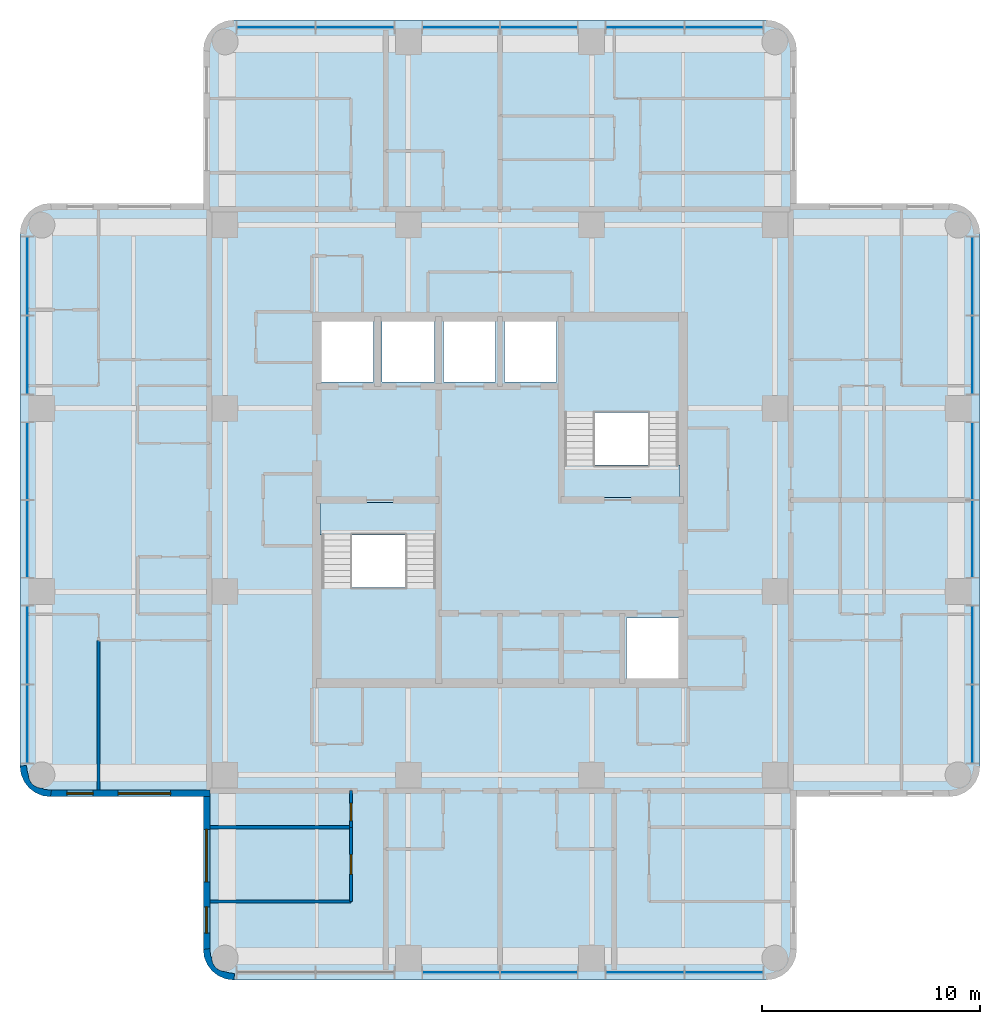
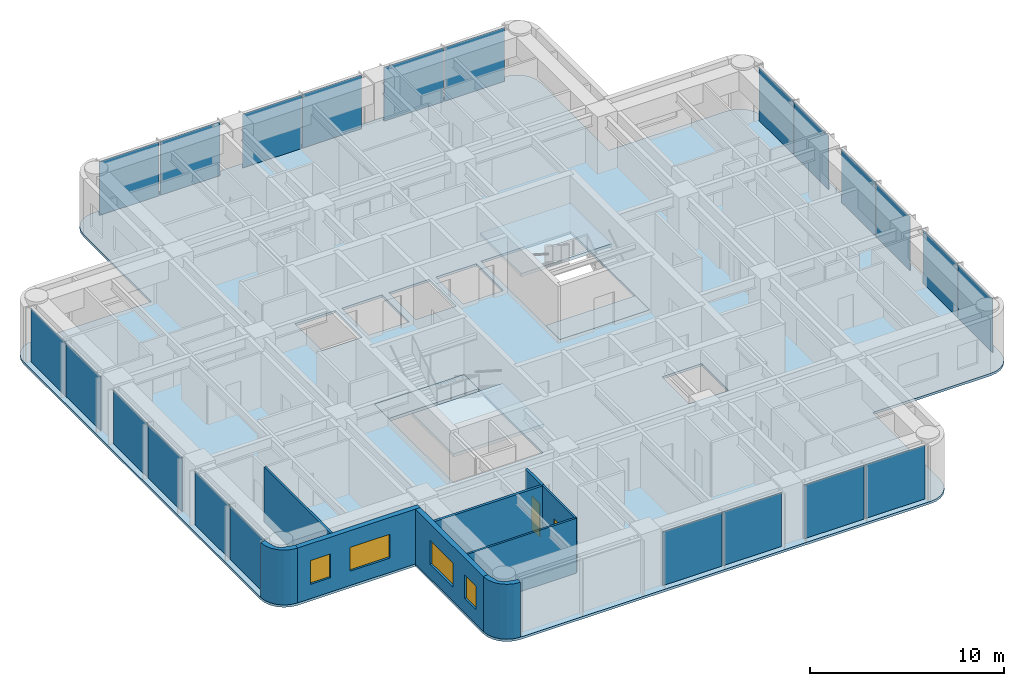
# One storey, part 3 of 10: 22 plates, 9 walls, 5 slabs, 4 windows, 2 doors, 6 openings, 6 elements without a shape of their own.
"""IFC4 building model written with IfcOpenShell, lengths in metres."""

from ifc_helpers import new_model, si_unit, direction, frame, frame_2d, origin, origin_2d, place, context, subcontext, project, spatial, polyline, rectangle, outline, extrude, material, layer, layer_set, type_object, element, fill, aggregate, save


model = new_model("IFC4")

# Units and contexts
model_context = context("Model", 3, precision=1e-05, world=origin(), true_north=direction((0.0, 1.0)))
body_context = subcontext(model_context, "Body", "Model", "MODEL_VIEW")
ifc_project = project(units=[si_unit("LENGTHUNIT", "METRE"), si_unit("AREAUNIT", "SQUARE_METRE"), si_unit("VOLUMEUNIT", "CUBIC_METRE"), si_unit("PLANEANGLEUNIT", "RADIAN"), si_unit("MASSUNIT", "GRAM", prefix="KILO")], contexts=[model_context])

# Site, building, storey
site_placement = place(None, origin())
site = spatial("IfcSite", under=ifc_project, at=site_placement, CompositionType="ELEMENT")
building_placement = place(site_placement, origin())
building = spatial("IfcBuilding", under=site, at=building_placement, Name="Torre Alcanfor", CompositionType="ELEMENT")
storey_placement = place(building_placement, frame((0.0, 0.0, 275.699951171875)))
storey = spatial("IfcBuildingStorey", under=building, at=storey_placement, Name="L72", CompositionType="ELEMENT", Elevation=275.699951171875)

# Curtain wall, plates
ifc_material_1 = material(Name="Aluminium and glass", Category="aluminium")
curtain_wall_type = type_object("IfcCurtainWallType", Name="CW-A unitised apartment glazing with vertical FIN", PredefinedType="NOTDEFINED", material=ifc_material_1)
curtain_wall_1_placement = place(storey_placement, origin())
curtain_wall_1 = element("IfcCurtainWall", 1, at=curtain_wall_1_placement, inside=storey, type_object=curtain_wall_type, Name="Curtain wall CW-A L72 2", PredefinedType="NOTDEFINED")
ifc_material_2 = material(Name="Glass", Category="glass")
ifc_layer_1 = layer(ifc_material_2, 0.028076171875)
ifc_layer_set_1 = layer_set([ifc_layer_1], Name="CW-A clear double glazed unit")
plate_type = type_object("IfcPlateType", Name="CW-A clear double glazed unit", PredefinedType="CURTAIN_PANEL", material=ifc_layer_set_1)
plate_1_placement = place(storey_placement, frame((7.75, 39.664794921875, 0.0), z_axis=(0.0, 0.0, 1.0), x_axis=(0.0, -1.0, 0.0)))
plate_1 = element("IfcPlate", 2, at=plate_1_placement, type_object=plate_type, Name="CW-A panel 1.1.1", PredefinedType="CURTAIN_PANEL", context=body_context, shape_type="SweptSolid", body=[
    extrude(rectangle(XDim=3.55322265625, YDim=0.028076171875, at=origin_2d()), origin(), (0.0, 0.0, 1.0), 3.385009765625),
])
plate_2_placement = place(storey_placement, frame((7.75, 36.046630859375, 0.0), z_axis=(0.0, 0.0, 1.0), x_axis=(0.0, -1.0, 0.0)))
plate_2 = element("IfcPlate", 3, at=plate_2_placement, type_object=plate_type, Name="CW-A panel 1.2.1", PredefinedType="CURTAIN_PANEL", context=body_context, shape_type="SweptSolid", body=[
    extrude(rectangle(XDim=3.55322265625, YDim=0.028076171875, at=origin_2d()), origin(), (0.0, 0.0, 1.0), 3.385009765625),
])
plate_3_placement = place(storey_placement, frame((7.75, 31.18115234375, 0.0), z_axis=(0.0, 0.0, 1.0), x_axis=(0.0, -1.0, 0.0)))
plate_3 = element("IfcPlate", 4, at=plate_3_placement, type_object=plate_type, Name="CW-A panel 2.1.1", PredefinedType="CURTAIN_PANEL", context=body_context, shape_type="SweptSolid", body=[
    extrude(rectangle(XDim=3.49755859375, YDim=0.028076171875, at=origin_2d()), origin(), (0.0, 0.0, 1.0), 3.385009765625),
])
plate_4_placement = place(storey_placement, frame((7.75, 27.61865234375, 0.0), z_axis=(0.0, 0.0, 1.0), x_axis=(0.0, -1.0, 0.0)))
plate_4 = element("IfcPlate", 5, at=plate_4_placement, type_object=plate_type, Name="CW-A panel 2.2.1", PredefinedType="CURTAIN_PANEL", context=body_context, shape_type="SweptSolid", body=[
    extrude(rectangle(XDim=3.49755859375, YDim=0.028076171875, at=origin_2d()), origin(), (0.0, 0.0, 1.0), 3.385009765625),
])
plate_5_placement = place(storey_placement, frame((7.75, 22.75341796875, 0.0), z_axis=(0.0, 0.0, 1.0), x_axis=(0.0, -1.0, 0.0)))
plate_5 = element("IfcPlate", 6, at=plate_5_placement, type_object=plate_type, Name="CW-A panel 3.1.1", PredefinedType="CURTAIN_PANEL", context=body_context, shape_type="SweptSolid", body=[
    extrude(rectangle(XDim=3.55322265625, YDim=0.028076171875, at=origin_2d()), origin(), (0.0, 0.0, 1.0), 3.385009765625),
])
plate_6_placement = place(storey_placement, frame((7.75, 19.135009765625, 0.0), z_axis=(0.0, 0.0, 1.0), x_axis=(0.0, -1.0, 0.0)))
plate_6 = element("IfcPlate", 7, at=plate_6_placement, type_object=plate_type, Name="CW-A panel 3.2.1", PredefinedType="CURTAIN_PANEL", context=body_context, shape_type="SweptSolid", body=[
    extrude(rectangle(XDim=3.55322265625, YDim=0.028076171875, at=origin_2d()), origin(), (0.0, 0.0, 1.0), 3.385009765625),
])
aggregate(curtain_wall_1, [plate_1, plate_2, plate_3, plate_4, plate_5, plate_6])

curtain_wall_2_placement = place(storey_placement, origin())
curtain_wall_2 = element("IfcCurtainWall", 8, at=curtain_wall_2_placement, inside=storey, type_object=curtain_wall_type, Name="Curtain wall CW-A L72 5", PredefinedType="NOTDEFINED")
plate_7_placement = place(storey_placement, frame((27.61865234375, 7.75, 0.0), z_axis=(0.0, 0.0, 1.0), x_axis=(1.0, 0.0, 0.0)))
plate_7 = element("IfcPlate", 9, at=plate_7_placement, type_object=plate_type, Name="CW-A panel 2.1.1", PredefinedType="CURTAIN_PANEL", context=body_context, shape_type="SweptSolid", body=[
    extrude(rectangle(XDim=3.49755859375, YDim=0.028076171875, at=origin_2d()), origin(), (0.0, 0.0, 1.0), 3.385009765625),
])
plate_8_placement = place(storey_placement, frame((31.18115234375, 7.75, 0.0), z_axis=(0.0, 0.0, 1.0), x_axis=(1.0, 0.0, 0.0)))
plate_8 = element("IfcPlate", 10, at=plate_8_placement, type_object=plate_type, Name="CW-A panel 2.2.1", PredefinedType="CURTAIN_PANEL", context=body_context, shape_type="SweptSolid", body=[
    extrude(rectangle(XDim=3.49755859375, YDim=0.028076171875, at=origin_2d()), origin(), (0.0, 0.0, 1.0), 3.385009765625),
])
plate_9_placement = place(storey_placement, frame((36.046630859375, 7.75, 0.0), z_axis=(0.0, 0.0, 1.0), x_axis=(1.0, 0.0, 0.0)))
plate_9 = element("IfcPlate", 11, at=plate_9_placement, type_object=plate_type, Name="CW-A panel 3.1.1", PredefinedType="CURTAIN_PANEL", context=body_context, shape_type="SweptSolid", body=[
    extrude(rectangle(XDim=3.55322265625, YDim=0.028076171875, at=origin_2d()), origin(), (0.0, 0.0, 1.0), 3.385009765625),
])
plate_10_placement = place(storey_placement, frame((39.664794921875, 7.75, 0.0), z_axis=(0.0, 0.0, 1.0), x_axis=(1.0, 0.0, 0.0)))
plate_10 = element("IfcPlate", 12, at=plate_10_placement, type_object=plate_type, Name="CW-A panel 3.2.1", PredefinedType="CURTAIN_PANEL", context=body_context, shape_type="SweptSolid", body=[
    extrude(rectangle(XDim=3.55322265625, YDim=0.028076171875, at=origin_2d()), origin(), (0.0, 0.0, 1.0), 3.385009765625),
])
aggregate(curtain_wall_2, [plate_7, plate_8, plate_9, plate_10])

curtain_wall_3_placement = place(storey_placement, origin())
curtain_wall_3 = element("IfcCurtainWall", 13, at=curtain_wall_3_placement, inside=storey, type_object=curtain_wall_type, Name="Curtain wall CW-A L72 8", PredefinedType="NOTDEFINED")
plate_11_placement = place(storey_placement, frame((51.050048828125, 19.135009765625, 0.0), z_axis=(0.0, 0.0, 1.0), x_axis=(0.0, 1.0, 0.0)))
plate_11 = element("IfcPlate", 14, at=plate_11_placement, type_object=plate_type, Name="CW-A panel 1.1.1", PredefinedType="CURTAIN_PANEL", context=body_context, shape_type="SweptSolid", body=[
    extrude(rectangle(XDim=3.55322265625, YDim=0.028076171875, at=origin_2d()), origin(), (0.0, 0.0, 1.0), 3.385009765625),
])
plate_12_placement = place(storey_placement, frame((51.050048828125, 22.75341796875, 0.0), z_axis=(0.0, 0.0, 1.0), x_axis=(0.0, 1.0, 0.0)))
plate_12 = element("IfcPlate", 15, at=plate_12_placement, type_object=plate_type, Name="CW-A panel 1.2.1", PredefinedType="CURTAIN_PANEL", context=body_context, shape_type="SweptSolid", body=[
    extrude(rectangle(XDim=3.55322265625, YDim=0.028076171875, at=origin_2d()), origin(), (0.0, 0.0, 1.0), 3.385009765625),
])
plate_13_placement = place(storey_placement, frame((51.050048828125, 27.61865234375, 0.0), z_axis=(0.0, 0.0, 1.0), x_axis=(0.0, 1.0, 0.0)))
plate_13 = element("IfcPlate", 16, at=plate_13_placement, type_object=plate_type, Name="CW-A panel 2.1.1", PredefinedType="CURTAIN_PANEL", context=body_context, shape_type="SweptSolid", body=[
    extrude(rectangle(XDim=3.49755859375, YDim=0.028076171875, at=origin_2d()), origin(), (0.0, 0.0, 1.0), 3.385009765625),
])
plate_14_placement = place(storey_placement, frame((51.050048828125, 31.18115234375, 0.0), z_axis=(0.0, 0.0, 1.0), x_axis=(0.0, 1.0, 0.0)))
plate_14 = element("IfcPlate", 17, at=plate_14_placement, type_object=plate_type, Name="CW-A panel 2.2.1", PredefinedType="CURTAIN_PANEL", context=body_context, shape_type="SweptSolid", body=[
    extrude(rectangle(XDim=3.49755859375, YDim=0.028076171875, at=origin_2d()), origin(), (0.0, 0.0, 1.0), 3.385009765625),
])
plate_15_placement = place(storey_placement, frame((51.050048828125, 36.046630859375, 0.0), z_axis=(0.0, 0.0, 1.0), x_axis=(0.0, 1.0, 0.0)))
plate_15 = element("IfcPlate", 18, at=plate_15_placement, type_object=plate_type, Name="CW-A panel 3.1.1", PredefinedType="CURTAIN_PANEL", context=body_context, shape_type="SweptSolid", body=[
    extrude(rectangle(XDim=3.55322265625, YDim=0.028076171875, at=origin_2d()), origin(), (0.0, 0.0, 1.0), 3.385009765625),
])
plate_16_placement = place(storey_placement, frame((51.050048828125, 39.664794921875, 0.0), z_axis=(0.0, 0.0, 1.0), x_axis=(0.0, 1.0, 0.0)))
plate_16 = element("IfcPlate", 19, at=plate_16_placement, type_object=plate_type, Name="CW-A panel 3.2.1", PredefinedType="CURTAIN_PANEL", context=body_context, shape_type="SweptSolid", body=[
    extrude(rectangle(XDim=3.55322265625, YDim=0.028076171875, at=origin_2d()), origin(), (0.0, 0.0, 1.0), 3.385009765625),
])
aggregate(curtain_wall_3, [plate_11, plate_12, plate_13, plate_14, plate_15, plate_16])

curtain_wall_4_placement = place(storey_placement, origin())
curtain_wall_4 = element("IfcCurtainWall", 20, at=curtain_wall_4_placement, inside=storey, type_object=curtain_wall_type, Name="Curtain wall CW-A L72 11", PredefinedType="NOTDEFINED")
plate_17_placement = place(storey_placement, frame((39.664794921875, 51.050048828125, 0.0), z_axis=(0.0, 0.0, 1.0), x_axis=(-1.0, 0.0, 0.0)))
plate_17 = element("IfcPlate", 21, at=plate_17_placement, type_object=plate_type, Name="CW-A panel 1.1.1", PredefinedType="CURTAIN_PANEL", context=body_context, shape_type="SweptSolid", body=[
    extrude(rectangle(XDim=3.55322265625, YDim=0.028076171875, at=origin_2d()), origin(), (0.0, 0.0, 1.0), 3.385009765625),
])
plate_18_placement = place(storey_placement, frame((36.046630859375, 51.050048828125, 0.0), z_axis=(0.0, 0.0, 1.0), x_axis=(-1.0, 0.0, 0.0)))
plate_18 = element("IfcPlate", 22, at=plate_18_placement, type_object=plate_type, Name="CW-A panel 1.2.1", PredefinedType="CURTAIN_PANEL", context=body_context, shape_type="SweptSolid", body=[
    extrude(rectangle(XDim=3.55322265625, YDim=0.028076171875, at=origin_2d()), origin(), (0.0, 0.0, 1.0), 3.385009765625),
])
plate_19_placement = place(storey_placement, frame((31.18115234375, 51.050048828125, 0.0), z_axis=(0.0, 0.0, 1.0), x_axis=(-1.0, 0.0, 0.0)))
plate_19 = element("IfcPlate", 23, at=plate_19_placement, type_object=plate_type, Name="CW-A panel 2.1.1", PredefinedType="CURTAIN_PANEL", context=body_context, shape_type="SweptSolid", body=[
    extrude(rectangle(XDim=3.49755859375, YDim=0.028076171875, at=origin_2d()), origin(), (0.0, 0.0, 1.0), 3.385009765625),
])
plate_20_placement = place(storey_placement, frame((27.61865234375, 51.050048828125, 0.0), z_axis=(0.0, 0.0, 1.0), x_axis=(-1.0, 0.0, 0.0)))
plate_20 = element("IfcPlate", 24, at=plate_20_placement, type_object=plate_type, Name="CW-A panel 2.2.1", PredefinedType="CURTAIN_PANEL", context=body_context, shape_type="SweptSolid", body=[
    extrude(rectangle(XDim=3.49755859375, YDim=0.028076171875, at=origin_2d()), origin(), (0.0, 0.0, 1.0), 3.385009765625),
])
plate_21_placement = place(storey_placement, frame((22.75341796875, 51.050048828125, 0.0), z_axis=(0.0, 0.0, 1.0), x_axis=(-1.0, 0.0, 0.0)))
plate_21 = element("IfcPlate", 25, at=plate_21_placement, type_object=plate_type, Name="CW-A panel 3.1.1", PredefinedType="CURTAIN_PANEL", context=body_context, shape_type="SweptSolid", body=[
    extrude(rectangle(XDim=3.55322265625, YDim=0.028076171875, at=origin_2d()), origin(), (0.0, 0.0, 1.0), 3.385009765625),
])
plate_22_placement = place(storey_placement, frame((19.135009765625, 51.050048828125, 0.0), z_axis=(0.0, 0.0, 1.0), x_axis=(-1.0, 0.0, 0.0)))
plate_22 = element("IfcPlate", 26, at=plate_22_placement, type_object=plate_type, Name="CW-A panel 3.2.1", PredefinedType="CURTAIN_PANEL", context=body_context, shape_type="SweptSolid", body=[
    extrude(rectangle(XDim=3.55322265625, YDim=0.028076171875, at=origin_2d()), origin(), (0.0, 0.0, 1.0), 3.385009765625),
])
aggregate(curtain_wall_4, [plate_17, plate_18, plate_19, plate_20, plate_21, plate_22])

# Slab
ifc_material_3 = material(Name="Concrete f'c 35 MPa", Category="concrete")
ifc_layer_2 = layer(ifc_material_3, 0.14990234375)
ifc_layer_set_2 = layer_set([ifc_layer_2], Name="Composite floor 150 on metal deck")
slab_type_1 = type_object("IfcSlabType", Name="Composite floor 150 on metal deck", PredefinedType="FLOOR", material=ifc_layer_set_2)
slab_1_placement = place(storey_placement, frame((0.0, 0.0, -0.14990234375)))
element("IfcSlab", 27, at=slab_1_placement, inside=storey, type_object=slab_type_1, Name="Floor slab L72", PredefinedType="FLOOR", context=body_context, shape_type="SweptSolid", body=[
    extrude(outline(polyline([(15.800048828125, 43.0), (8.800048828125, 43.0), (8.437744140625, 42.952392578125), (8.10009765625, 42.8125), (7.81005859375, 42.58984375), (7.587646484375, 42.300048828125), (7.44775390625, 41.96240234375), (7.39990234375, 41.60009765625), (7.39990234375, 17.199951171875), (7.44775390625, 16.837646484375), (7.587646484375, 16.5), (7.81005859375, 16.210205078125), (8.10009765625, 15.987548828125), (8.437744140625, 15.84765625), (8.800048828125, 15.800048828125), (15.800048828125, 15.800048828125), (15.800048828125, 8.800048828125), (15.84765625, 8.437744140625), (15.987548828125, 8.10009765625), (16.210205078125, 7.81005859375), (16.5, 7.587646484375), (16.837646484375, 7.44775390625), (17.199951171875, 7.39990234375), (41.60009765625, 7.39990234375), (41.96240234375, 7.44775390625), (42.300048828125, 7.587646484375), (42.58984375, 7.81005859375), (42.8125, 8.10009765625), (42.952392578125, 8.437744140625), (43.0, 8.800048828125), (43.0, 15.800048828125), (50.0, 15.800048828125), (50.3623046875, 15.84765625), (50.699951171875, 15.987548828125), (50.989990234375, 16.210205078125), (51.21240234375, 16.5), (51.352294921875, 16.837646484375), (51.39990234375, 17.199951171875), (51.39990234375, 41.60009765625), (51.352294921875, 41.96240234375), (51.21240234375, 42.300048828125), (50.989990234375, 42.58984375), (50.699951171875, 42.8125), (50.3623046875, 42.952392578125), (50.0, 43.0), (43.0, 43.0), (43.0, 50.0), (42.952392578125, 50.3623046875), (42.8125, 50.699951171875), (42.58984375, 50.989990234375), (42.300048828125, 51.21240234375), (41.96240234375, 51.352294921875), (41.60009765625, 51.39990234375), (17.199951171875, 51.39990234375), (16.837646484375, 51.352294921875), (16.5, 51.21240234375), (16.210205078125, 50.989990234375), (15.987548828125, 50.699951171875), (15.84765625, 50.3623046875), (15.800048828125, 50.0), (15.800048828125, 43.0)]), holes=[polyline([(21.14501953125, 21.14501953125), (26.47998046875, 21.14501953125), (26.47998046875, 29.280029296875), (21.14501953125, 29.280029296875), (21.14501953125, 21.14501953125)]), polyline([(32.320068359375, 29.52001953125), (37.655029296875, 29.52001953125), (37.655029296875, 37.655029296875), (32.320068359375, 37.655029296875), (32.320068359375, 29.52001953125)]), polyline([(35.199951171875, 21.22509765625), (37.574951171875, 21.22509765625), (37.574951171875, 24.0), (35.199951171875, 24.0), (35.199951171875, 21.22509765625)]), polyline([(21.22509765625, 34.800048828125), (23.60009765625, 34.800048828125), (23.60009765625, 37.574951171875), (21.22509765625, 37.574951171875), (21.22509765625, 34.800048828125)]), polyline([(24.0, 34.800048828125), (26.39990234375, 34.800048828125), (26.39990234375, 37.574951171875), (24.0, 37.574951171875), (24.0, 34.800048828125)]), polyline([(26.800048828125, 34.800048828125), (29.199951171875, 34.800048828125), (29.199951171875, 37.574951171875), (26.800048828125, 37.574951171875), (26.800048828125, 34.800048828125)]), polyline([(29.60009765625, 34.800048828125), (32.0, 34.800048828125), (32.0, 37.574951171875), (29.60009765625, 37.574951171875), (29.60009765625, 34.800048828125)])]), origin(), (0.0, 0.0, 1.0), 0.14990234375),
])

# Stair, slabs
ifc_material_4 = material(Name="Concrete f'c 35 MPa", Category="concrete")
stair_type_1 = type_object("IfcStairType", Name="Exit stair S1 1400 wide", PredefinedType="HALF_TURN_STAIR", material=ifc_material_4)
stair_1_placement = place(storey_placement, origin())
stair_1 = element("IfcStair", 28, at=stair_1_placement, inside=storey, type_object=stair_type_1, Name="Stair S1 L72 to L73", PredefinedType="HALF_TURN_STAIR")
ifc_material_5 = material(Name="Concrete f'c 35 MPa", Category="concrete")
ifc_layer_3 = layer(ifc_material_5, 0.199951171875)
ifc_layer_set_3 = layer_set([ifc_layer_3], Name="Stair landing 200")
slab_type_2 = type_object("IfcSlabType", Name="Stair landing 200", PredefinedType="LANDING", material=ifc_layer_set_3)
slab_2_placement = place(storey_placement, frame((0.0, 0.0, -0.199951171875)))
slab_2 = element("IfcSlab", 29, at=slab_2_placement, type_object=slab_type_2, Name="S1 landing 1", PredefinedType="LANDING", context=body_context, shape_type="SweptSolid", body=[
    extrude(outline(polyline([(21.14501953125, 27.800048828125), (26.47998046875, 27.800048828125), (26.47998046875, 29.280029296875), (21.14501953125, 29.280029296875), (21.14501953125, 27.800048828125)])), origin(), (0.0, 0.0, 1.0), 0.199951171875),
])
slab_3_placement = place(storey_placement, frame((0.0, 0.0, 1.60009765625)))
slab_3 = element("IfcSlab", 30, at=slab_3_placement, type_object=slab_type_2, Name="S1 landing 2", PredefinedType="LANDING", context=body_context, shape_type="SweptSolid", body=[
    extrude(outline(polyline([(21.14501953125, 21.14501953125), (26.530029296875, 21.14501953125), (26.530029296875, 25.3798828125), (21.14501953125, 25.3798828125), (21.14501953125, 21.14501953125)])), origin(), (0.0, 0.0, 1.0), 0.199951171875),
])
aggregate(stair_1, [slab_2, slab_3])

ifc_material_6 = material(Name="Concrete f'c 35 MPa", Category="concrete")
stair_type_2 = type_object("IfcStairType", Name="Exit stair S2 1400 wide", PredefinedType="HALF_TURN_STAIR", material=ifc_material_6)
stair_2_placement = place(storey_placement, origin())
stair_2 = element("IfcStair", 31, at=stair_2_placement, inside=storey, type_object=stair_type_2, Name="Stair S2 L72 to L73", PredefinedType="HALF_TURN_STAIR")
slab_4_placement = place(storey_placement, frame((0.0, 0.0, -0.199951171875)))
slab_4 = element("IfcSlab", 32, at=slab_4_placement, type_object=slab_type_2, Name="S2 landing 1", PredefinedType="LANDING", context=body_context, shape_type="SweptSolid", body=[
    extrude(outline(polyline([(32.320068359375, 29.52001953125), (37.655029296875, 29.52001953125), (37.655029296875, 31.0), (32.320068359375, 31.0), (32.320068359375, 29.52001953125)])), origin(), (0.0, 0.0, 1.0), 0.199951171875),
])
slab_5_placement = place(storey_placement, frame((0.0, 0.0, 1.60009765625)))
slab_5 = element("IfcSlab", 33, at=slab_5_placement, type_object=slab_type_2, Name="S2 landing 2", PredefinedType="LANDING", context=body_context, shape_type="SweptSolid", body=[
    extrude(outline(polyline([(32.27001953125, 33.419921875), (37.655029296875, 33.419921875), (37.655029296875, 37.655029296875), (32.27001953125, 37.655029296875), (32.27001953125, 33.419921875)])), origin(), (0.0, 0.0, 1.0), 0.199951171875),
])
aggregate(stair_2, [slab_4, slab_5])

# Wall
ifc_material_7 = material(Name="Gypsum board on steel studs", Category="steel")
ifc_layer_4 = layer(ifc_material_7, 0.1201171875)
ifc_layer_set_4 = layer_set([ifc_layer_4], Name="Apartment partition 120")
wall_type_1 = type_object("IfcWallType", Name="Apartment partition 120", PredefinedType="PARTITIONING", material=ifc_layer_set_4)
wall_1_placement = place(storey_placement, frame((16.10009765625, 11.0, 0.0), z_axis=(0.0, 0.0, 1.0), x_axis=(1.0, 0.0, 0.0)))
element("IfcWall", 34, at=wall_1_placement, inside=storey, type_object=wall_type_1, Name="Partition L72-S2B-LIVING / L72-S2B-MASTER", PredefinedType="PARTITIONING", context=body_context, shape_type="SweptSolid", body=[
    extrude(rectangle(XDim=6.470947265625, YDim=0.1201171875, at=frame_2d((3.2353515625, 0.0))), origin(), (0.0, 0.0, 1.0), 3.449951171875),
])

# Wall, opening, door
wall_2_placement = place(storey_placement, frame((22.571044921875, 11.0, 0.0), z_axis=(0.0, 0.0, 1.0), x_axis=(0.0, 1.0, 0.0)))
wall_2 = element("IfcWall", 35, at=wall_2_placement, inside=storey, type_object=wall_type_1, Name="Partition L72-S2B-LIVING / L72-S2B-MASTER", PredefinedType="PARTITIONING", context=body_context, shape_type="SweptSolid", body=[
    extrude(rectangle(XDim=3.39990234375, YDim=0.1201171875, at=frame_2d((1.699951171875, 0.0))), origin(), (0.0, 0.0, 1.0), 3.449951171875),
])
opening_1_placement = place(wall_2_placement, frame((1.25, 0.0, 0.0)))
opening_1 = element("IfcOpeningElement", 36, at=opening_1_placement, cuts=wall_2, Name="Opening D-R1", PredefinedType="OPENING", context=body_context, shape_type="SweptSolid", body=[
    extrude(rectangle(XDim=0.89990234375, YDim=2.10009765625, at=frame_2d((0.449951171875, 1.050048828125))), frame((0.0, 0.070068359375, 0.0), z_axis=(0.0, -1.0, 0.0), x_axis=(1.0, 0.0, 0.0)), (0.0, 0.0, 1.0), 0.14013671875),
])
ifc_material_8 = material(Name="Timber", Category="wood")
door_type_1 = type_object("IfcDoorType", Name="Internal door 900x2100", OperationType="SINGLE_SWING_LEFT", PredefinedType="DOOR", material=ifc_material_8)
door_1_placement = place(opening_1_placement, origin())
door_1 = element("IfcDoor", 37, at=door_1_placement, inside=storey, type_object=door_type_1, Name="Door L72-S2B master", OperationType="SINGLE_SWING_LEFT", OverallHeight=2.10009765625, OverallWidth=0.89990234375, PredefinedType="DOOR", context=body_context, shape_type="SweptSolid", body=[
    extrude(rectangle(XDim=0.89990234375, YDim=2.10009765625, at=frame_2d((0.449951171875, 1.050048828125))), frame((0.0, 0.02490234375, 0.0), z_axis=(0.0, -1.0, 0.0), x_axis=(1.0, 0.0, 0.0)), (0.0, 0.0, 1.0), 0.050048828125),
])
fill(opening_1, door_1)

# Wall
wall_3_placement = place(storey_placement, frame((11.0, 22.970947265625, 0.0), z_axis=(0.0, 0.0, 1.0), x_axis=(0.0, -1.0, 0.0)))
element("IfcWall", 38, at=wall_3_placement, inside=storey, type_object=wall_type_1, Name="Partition L72-WX-BED2 / L72-WX-MASTER", PredefinedType="PARTITIONING", context=body_context, shape_type="SweptSolid", body=[
    extrude(rectangle(XDim=6.870849609375, YDim=0.1201171875, at=frame_2d((3.435546875, 0.0))), origin(), (0.0, 0.0, 1.0), 3.449951171875),
])

# Wall, openings, windows
ifc_material_9 = material(Name="Limestone cladding", Category="masonry")
ifc_layer_5 = layer(ifc_material_9, 0.0400390625, Name="Facing")
ifc_material_10 = material(Name="Ventilated air cavity")
ifc_layer_6 = layer(ifc_material_10, 0.02001953125, ventilated=True, Name="Ventilated joint")
ifc_material_11 = material(Name="Mineral wool insulation", Category="insulation")
ifc_layer_7 = layer(ifc_material_11, 0.10009765625, Name="Insulation")
ifc_material_12 = material(Name="Concrete f'c 35 MPa", Category="concrete")
ifc_layer_8 = layer(ifc_material_12, 0.139892578125, Name="Backing")
ifc_layer_set_5 = layer_set([ifc_layer_5, ifc_layer_6, ifc_layer_7, ifc_layer_8], Name="External wall stone-clad 300")
wall_type_2 = type_object("IfcWallType", Name="External wall stone-clad 300", PredefinedType="SOLIDWALL", material=ifc_layer_set_5)
wall_4_placement = place(storey_placement, frame((8.800048828125, 15.949951171875, 0.0), z_axis=(0.0, 0.0, 1.0), x_axis=(1.0, 0.0, 0.0)))
wall_4 = element("IfcWall", 39, at=wall_4_placement, inside=storey, type_object=wall_type_2, Name="External wall L72 3", PredefinedType="SOLIDWALL", context=body_context, shape_type="SweptSolid", body=[
    extrude(rectangle(XDim=7.300048828125, YDim=0.300048828125, at=frame_2d((3.64990234375, 0.0))), origin(), (0.0, 0.0, 1.0), 3.449951171875),
])
opening_2_placement = place(wall_4_placement, frame((3.10009765625, 0.0, 0.89990234375)))
opening_2 = element("IfcOpeningElement", 40, at=opening_2_placement, cuts=wall_4, Name="Opening W1", PredefinedType="OPENING", context=body_context, shape_type="SweptSolid", body=[
    extrude(rectangle(XDim=2.39990234375, YDim=1.5, at=frame_2d((1.199951171875, 0.75))), frame((0.0, 0.159912109375, 0.0), z_axis=(0.0, -1.0, 0.0), x_axis=(1.0, 0.0, 0.0)), (0.0, 0.0, 1.0), 0.320068359375),
])
opening_3_placement = place(wall_4_placement, frame((0.75, 0.0, 0.89990234375)))
opening_3 = element("IfcOpeningElement", 41, at=opening_3_placement, cuts=wall_4, Name="Opening W4", PredefinedType="OPENING", context=body_context, shape_type="SweptSolid", body=[
    extrude(rectangle(XDim=1.199951171875, YDim=1.5, at=frame_2d((0.60009765625, 0.75))), frame((0.0, 0.159912109375, 0.0), z_axis=(0.0, -1.0, 0.0), x_axis=(1.0, 0.0, 0.0)), (0.0, 0.0, 1.0), 0.320068359375),
])
ifc_material_13 = material(Name="Aluminium frame with clear double glazing", Category="aluminium")
window_type_1 = type_object("IfcWindowType", Name="Window bedroom 1200x1500", PartitioningType="SINGLE_PANEL", PredefinedType="WINDOW", material=ifc_material_13)
window_1_placement = place(opening_3_placement, origin())
window_1 = element("IfcWindow", 42, at=window_1_placement, inside=storey, type_object=window_type_1, Name="Window W4 L72-W1", OverallHeight=1.5, OverallWidth=1.199951171875, PartitioningType="SINGLE_PANEL", PredefinedType="WINDOW", context=body_context, shape_type="SweptSolid", body=[
    extrude(rectangle(XDim=1.199951171875, YDim=1.5, at=frame_2d((0.60009765625, 0.75))), frame((0.0, 0.030029296875, 0.0), z_axis=(0.0, -1.0, 0.0), x_axis=(1.0, 0.0, 0.0)), (0.0, 0.0, 1.0), 0.06005859375),
])
fill(opening_3, window_1)
ifc_material_14 = material(Name="Aluminium frame with clear double glazing", Category="aluminium")
window_type_2 = type_object("IfcWindowType", Name="Window bedroom 2400x1500", PartitioningType="SINGLE_PANEL", PredefinedType="WINDOW", material=ifc_material_14)
window_2_placement = place(opening_2_placement, origin())
window_2 = element("IfcWindow", 43, at=window_2_placement, inside=storey, type_object=window_type_2, Name="Window W1 L72-W1", OverallHeight=1.5, OverallWidth=2.39990234375, PartitioningType="SINGLE_PANEL", PredefinedType="WINDOW", context=body_context, shape_type="SweptSolid", body=[
    extrude(rectangle(XDim=2.39990234375, YDim=1.5, at=frame_2d((1.199951171875, 0.75))), frame((0.0, 0.030029296875, 0.0), z_axis=(0.0, -1.0, 0.0), x_axis=(1.0, 0.0, 0.0)), (0.0, 0.0, 1.0), 0.06005859375),
])
fill(opening_2, window_2)

wall_5_placement = place(storey_placement, frame((15.949951171875, 15.800048828125, 0.0), z_axis=(0.0, 0.0, 1.0), x_axis=(0.0, -1.0, 0.0)))
wall_5 = element("IfcWall", 44, at=wall_5_placement, inside=storey, type_object=wall_type_2, Name="External wall L72 4", PredefinedType="SOLIDWALL", context=body_context, shape_type="SweptSolid", body=[
    extrude(rectangle(XDim=7.0, YDim=0.300048828125, at=frame_2d((3.5, 0.0))), origin(), (0.0, 0.0, 1.0), 3.449951171875),
])
opening_4_placement = place(wall_5_placement, frame((1.5, 0.0, 0.89990234375)))
opening_4 = element("IfcOpeningElement", 45, at=opening_4_placement, cuts=wall_5, Name="Opening W1", PredefinedType="OPENING", context=body_context, shape_type="SweptSolid", body=[
    extrude(rectangle(XDim=2.39990234375, YDim=1.5, at=frame_2d((1.199951171875, 0.75))), frame((0.0, 0.159912109375, 0.0), z_axis=(0.0, -1.0, 0.0), x_axis=(1.0, 0.0, 0.0)), (0.0, 0.0, 1.0), 0.320068359375),
])
opening_5_placement = place(wall_5_placement, frame((5.050048828125, 0.0, 0.89990234375)))
opening_5 = element("IfcOpeningElement", 46, at=opening_5_placement, cuts=wall_5, Name="Opening W4", PredefinedType="OPENING", context=body_context, shape_type="SweptSolid", body=[
    extrude(rectangle(XDim=1.199951171875, YDim=1.5, at=frame_2d((0.60009765625, 0.75))), frame((0.0, 0.159912109375, 0.0), z_axis=(0.0, -1.0, 0.0), x_axis=(1.0, 0.0, 0.0)), (0.0, 0.0, 1.0), 0.320068359375),
])
window_3_placement = place(opening_5_placement, origin())
window_3 = element("IfcWindow", 47, at=window_3_placement, inside=storey, type_object=window_type_1, Name="Window W4 L72-S2", OverallHeight=1.5, OverallWidth=1.199951171875, PartitioningType="SINGLE_PANEL", PredefinedType="WINDOW", context=body_context, shape_type="SweptSolid", body=[
    extrude(rectangle(XDim=1.199951171875, YDim=1.5, at=frame_2d((0.60009765625, 0.75))), frame((0.0, 0.030029296875, 0.0), z_axis=(0.0, -1.0, 0.0), x_axis=(1.0, 0.0, 0.0)), (0.0, 0.0, 1.0), 0.06005859375),
])
fill(opening_5, window_3)
window_4_placement = place(opening_4_placement, origin())
window_4 = element("IfcWindow", 48, at=window_4_placement, inside=storey, type_object=window_type_2, Name="Window W1 L72-S2", OverallHeight=1.5, OverallWidth=2.39990234375, PartitioningType="SINGLE_PANEL", PredefinedType="WINDOW", context=body_context, shape_type="SweptSolid", body=[
    extrude(rectangle(XDim=2.39990234375, YDim=1.5, at=frame_2d((1.199951171875, 0.75))), frame((0.0, 0.030029296875, 0.0), z_axis=(0.0, -1.0, 0.0), x_axis=(1.0, 0.0, 0.0)), (0.0, 0.0, 1.0), 0.06005859375),
])
fill(opening_4, window_4)

# Walls
ifc_layer_9 = layer(ifc_material_9, 0.0400390625, Name="Facing")
ifc_layer_10 = layer(ifc_material_10, 0.02001953125, ventilated=True, Name="Ventilated joint")
ifc_layer_11 = layer(ifc_material_11, 0.10009765625, Name="Insulation")
ifc_layer_12 = layer(ifc_material_12, 0.139892578125, Name="Backing")
ifc_layer_set_6 = layer_set([ifc_layer_9, ifc_layer_10, ifc_layer_11, ifc_layer_12], Name="Rounded corner pier stone-clad 300")
wall_type_3 = type_object("IfcWallType", Name="Rounded corner pier stone-clad 300", PredefinedType="SOLIDWALL", material=ifc_layer_set_6)
wall_6_placement = place(storey_placement, frame((7.824101883, 17.161581746, 0.0), z_axis=(0.0, 0.0, 1.0), x_axis=(-0.707106781187, -0.707106781187, 0.0)))
element("IfcWall", 49, at=wall_6_placement, inside=storey, type_object=wall_type_3, Name="Corner pier L72 14", PredefinedType="SOLIDWALL", context=body_context, shape_type="SweptSolid", body=[
    extrude(outline(polyline([(0.04667321568762184, 1.4544919802800873), (0.23311738650829356, 1.2117692912302127), (0.29215804060150635, 1.069174027250699), (0.3579314008632433, 1.0034006669889621), (0.4494271513585729, 0.7824297978681659), (0.4494271513585729, 0.5431597786483039), (0.35793140086324327, 0.322534176510509), (0.2921580406015063, 0.256760816248772), (0.23311738650829356, 0.11416555226925829), (0.046673215687621845, -0.12890240376361745), (0.032689902876071465, -0.14288571657516783), (0.2728230895534366, -0.32708565200633144), (0.4951750266062377, -0.037061386285286546), (0.6350081547217414, 0.30060972308993), (0.6826549983759133, 0.6627947882582349), (0.6350081547217414, 1.025325120409541), (0.49517502660623774, 1.3629962297847575), (0.27265045606193605, 1.652847862014302), (0.03251726938457078, 1.4686479265831383), (0.04667321568762184, 1.4544919802800873)])), origin(), (0.0, 0.0, 1.0), 3.449951171875),
])
wall_7_placement = place(storey_placement, frame((16.224101883, 8.761581746, 0.0), z_axis=(0.0, 0.0, 1.0), x_axis=(-0.707106781187, -0.707106781187, 0.0)))
element("IfcWall", 50, at=wall_7_placement, inside=storey, type_object=wall_type_3, Name="Corner pier L72 15", PredefinedType="SOLIDWALL", context=body_context, shape_type="SweptSolid", body=[
    extrude(outline(polyline([(0.032689902876070875, 1.4686824532814384), (0.04667321568762128, 1.4546991404698881), (0.233117386508293, 1.2116311844370125), (0.29215804060150563, 1.0690359204574986), (0.3579314008632426, 1.0032625601957617), (0.44942715135857225, 0.7826369580579667), (0.44942715135857225, 0.5433669388381047), (0.3579314008632426, 0.3223960697173086), (0.29215804060150563, 0.25662270945557164), (0.23311738650829295, 0.11402744547605792), (0.04667321568762121, -0.12869524357381656), (0.03251726938457021, -0.14285118987686757), (0.27265045606193533, -0.3270511253080312), (0.49517502660623713, -0.03719949307848694), (0.6350081547217409, 0.3004716162967297), (0.6826549983759126, 0.6630019484480357), (0.6350081547217409, 1.0251870136163408), (0.495175026606237, 1.362858122991557), (0.27282308955343604, 1.652882388712602), (0.032689902876070875, 1.4686824532814384)])), origin(), (0.0, 0.0, 1.0), 3.449951171875),
])

# Wall, opening, door
ifc_material_15 = material(Name="Cement board on steel studs", Category="steel")
ifc_layer_13 = layer(ifc_material_15, 0.14990234375)
ifc_layer_set_7 = layer_set([ifc_layer_13], Name="Wet area partition 150")
wall_type_4 = type_object("IfcWallType", Name="Wet area partition 150", PredefinedType="PARTITIONING", material=ifc_layer_set_7)
wall_8_placement = place(storey_placement, frame((22.571044921875, 14.39990234375, 0.0), z_axis=(0.0, 0.0, 1.0), x_axis=(0.0, 1.0, 0.0)))
wall_8 = element("IfcWall", 51, at=wall_8_placement, inside=storey, type_object=wall_type_4, Name="Partition L72-S2B-LIVING / L72-S2B-BATH", PredefinedType="PARTITIONING", context=body_context, shape_type="SweptSolid", body=[
    extrude(rectangle(XDim=1.675048828125, YDim=0.14990234375, at=frame_2d((0.83740234375, 0.0))), origin(), (0.0, 0.0, 1.0), 3.449951171875),
])
opening_6_placement = place(wall_8_placement, frame((0.300048828125, 0.0, 0.0)))
opening_6 = element("IfcOpeningElement", 52, at=opening_6_placement, cuts=wall_8, Name="Opening D-R2", PredefinedType="OPENING", context=body_context, shape_type="SweptSolid", body=[
    extrude(rectangle(XDim=0.800048828125, YDim=2.10009765625, at=frame_2d((0.39990234375, 1.050048828125))), frame((0.0, 0.0849609375, 0.0), z_axis=(0.0, -1.0, 0.0), x_axis=(1.0, 0.0, 0.0)), (0.0, 0.0, 1.0), 0.169921875),
])
ifc_material_16 = material(Name="Timber", Category="wood")
door_type_2 = type_object("IfcDoorType", Name="Bathroom door 800x2100", OperationType="SINGLE_SWING_LEFT", PredefinedType="DOOR", material=ifc_material_16)
door_2_placement = place(opening_6_placement, origin())
door_2 = element("IfcDoor", 53, at=door_2_placement, inside=storey, type_object=door_type_2, Name="Door L72-S2B bath", OperationType="SINGLE_SWING_LEFT", OverallHeight=2.10009765625, OverallWidth=0.800048828125, PredefinedType="DOOR", context=body_context, shape_type="SweptSolid", body=[
    extrude(rectangle(XDim=0.800048828125, YDim=2.10009765625, at=frame_2d((0.39990234375, 1.050048828125))), frame((0.0, 0.02490234375, 0.0), z_axis=(0.0, -1.0, 0.0), x_axis=(1.0, 0.0, 0.0)), (0.0, 0.0, 1.0), 0.050048828125),
])
fill(opening_6, door_2)

# Wall
wall_9_placement = place(storey_placement, frame((22.571044921875, 14.39990234375, 0.0), z_axis=(0.0, 0.0, 1.0), x_axis=(-1.0, 0.0, 0.0)))
element("IfcWall", 54, at=wall_9_placement, inside=storey, type_object=wall_type_4, Name="Partition L72-S2B-BATH / L72-S2B-MASTER", PredefinedType="PARTITIONING", context=body_context, shape_type="SweptSolid", body=[
    extrude(rectangle(XDim=6.470947265625, YDim=0.14990234375, at=frame_2d((3.2353515625, 0.0))), origin(), (0.0, 0.0, 1.0), 3.449951171875),
])

save(model, "model.ifc")
